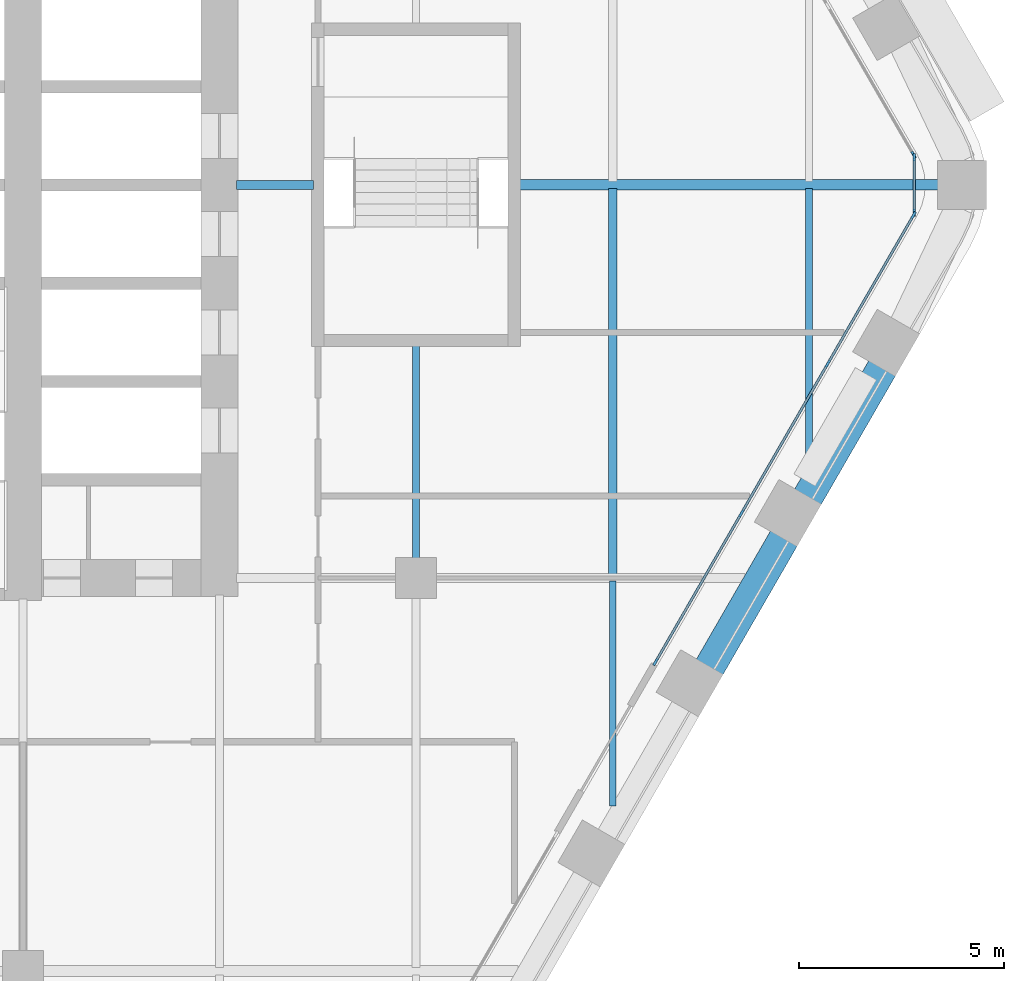
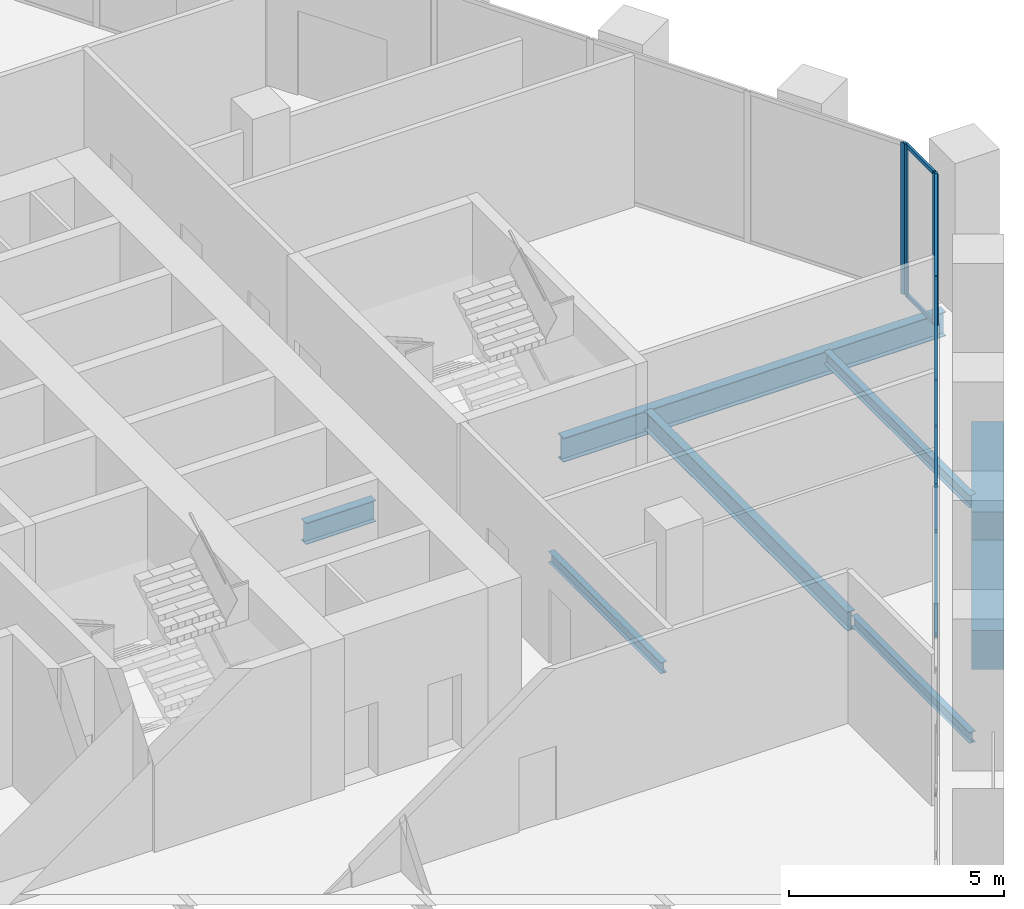
# One storey, part 5 of 23: 15 members, 8 beams, 3 elements without a shape of their own.
"""IFC4 building model written with IfcOpenShell, lengths in metres."""

from ifc_helpers import new_model, si_unit, direction, frame, origin, origin_2d, place, context, subcontext, project, spatial, rectangle, i_section, extrude, material, material_profile, profile_set, type_object, element, aggregate, save


model = new_model("IFC4")

# Units and contexts
model_context = context("Model", 3, precision=1e-05, world=origin(), true_north=direction((0.0, 1.0)))
body_context = subcontext(model_context, "Body", "Model", "MODEL_VIEW")
ifc_project = project(units=[si_unit("LENGTHUNIT", "METRE"), si_unit("AREAUNIT", "SQUARE_METRE"), si_unit("VOLUMEUNIT", "CUBIC_METRE"), si_unit("PLANEANGLEUNIT", "RADIAN"), si_unit("MASSUNIT", "GRAM", prefix="KILO")], contexts=[model_context])

# Site, building, storey
site_placement = place(None, origin())
site = spatial("IfcSite", under=ifc_project, at=site_placement, CompositionType="ELEMENT")
building_placement = place(site_placement, origin())
building = spatial("IfcBuilding", under=site, at=building_placement, Name="Kolab Exchange Tower", CompositionType="ELEMENT")
storey_placement = place(building_placement, frame((0.0, 0.0, 95.89990234375)))
storey = spatial("IfcBuildingStorey", under=building, at=storey_placement, Name="L18", CompositionType="ELEMENT", Elevation=95.89990234375)

# Beams
ifc_material_1 = material(Name="Steel S355", Category="steel")
ifc_material_profile_1 = material_profile(ifc_material_1, i_section(OverallWidth=0.1650390625, OverallDepth=0.31005859375, WebThickness=0.005859375, FlangeThickness=0.009765625, at=origin_2d()), Name="W310X39")
ifc_profile_set_1 = profile_set([ifc_material_profile_1], Name="Steel S355")
beam_type_1 = type_object("IfcBeamType", Name="FLOOR BEAM W310X39", PredefinedType="BEAM", material=ifc_profile_set_1)
beam_1_placement = place(storey_placement, frame((19.199951171875, -9.139892578125, -0.35498046875), z_axis=(0.0, 1.0, 0.0), x_axis=(-1.0, 0.0, 0.0)))
element("IfcBeam", 1, at=beam_1_placement, inside=storey, type_object=beam_type_1, Name="beam/L18/fr/042", PredefinedType="BEAM", context=body_context, shape_type="SweptSolid", body=[
    extrude(i_section(OverallWidth=0.1650390625, OverallDepth=0.31005859375, WebThickness=0.005859375, FlangeThickness=0.009765625, at=origin_2d()), origin(), (0.0, 0.0, 1.0), 5.22998046875),
])
beam_2_placement = place(storey_placement, frame((24.0, -15.167724609375, -0.35498046875), z_axis=(0.0, 1.0, 0.0), x_axis=(-1.0, 0.0, 0.0)))
element("IfcBeam", 2, at=beam_2_placement, inside=storey, type_object=beam_type_1, Name="beam/L18/fr/046", PredefinedType="BEAM", context=body_context, shape_type="SweptSolid", body=[
    extrude(i_section(OverallWidth=0.1650390625, OverallDepth=0.31005859375, WebThickness=0.005859375, FlangeThickness=0.009765625, at=origin_2d()), origin(), (0.0, 0.0, 1.0), 5.49365234375),
])
ifc_material_profile_2 = material_profile(ifc_material_1, i_section(OverallWidth=0.1708984375, OverallDepth=0.35498046875, WebThickness=0.007080078125, FlangeThickness=0.01171875, at=origin_2d()), Name="W360X51")
ifc_profile_set_2 = profile_set([ifc_material_profile_2], Name="Steel S355")
beam_type_2 = type_object("IfcBeamType", Name="FLOOR BEAM W360X51", PredefinedType="BEAM", material=ifc_profile_set_2)
beam_3_placement = place(storey_placement, frame((28.800048828125, -6.853759765625, -0.37744140625), z_axis=(0.0, 1.0, 0.0), x_axis=(-1.0, 0.0, 0.0)))
element("IfcBeam", 3, at=beam_3_placement, inside=storey, type_object=beam_type_2, Name="beam/L18/fr/050", PredefinedType="BEAM", context=body_context, shape_type="SweptSolid", body=[
    extrude(i_section(OverallWidth=0.1708984375, OverallDepth=0.35498046875, WebThickness=0.007080078125, FlangeThickness=0.01171875, at=origin_2d()), origin(), (0.0, 0.0, 1.0), 6.766845703125),
])
ifc_material_profile_3 = material_profile(ifc_material_1, i_section(OverallWidth=0.208984375, OverallDepth=0.532958984375, WebThickness=0.01025390625, FlangeThickness=0.015625, at=origin_2d()), Name="W530X92")
ifc_profile_set_3 = profile_set([ifc_material_profile_3], Name="Steel S355")
beam_type_3 = type_object("IfcBeamType", Name="FLOOR BEAM W530X92", PredefinedType="BEAM", material=ifc_profile_set_3)
beam_4_placement = place(storey_placement, frame((24.0, -9.52587890625, -0.46630859375), z_axis=(0.0, 1.0, 0.0), x_axis=(-1.0, 0.0, 0.0)))
element("IfcBeam", 4, at=beam_4_placement, inside=storey, type_object=beam_type_3, Name="beam/L18/fr/047", PredefinedType="BEAM", context=body_context, shape_type="SweptSolid", body=[
    extrude(i_section(OverallWidth=0.208984375, OverallDepth=0.532958984375, WebThickness=0.01025390625, FlangeThickness=0.015625, at=origin_2d()), origin(), (0.0, 0.0, 1.0), 9.43896484375),
])
ifc_material_profile_4 = material_profile(ifc_material_1, i_section(OverallWidth=0.22802734375, OverallDepth=0.60791015625, WebThickness=0.01123046875, FlangeThickness=0.017333984375, at=origin_2d()), Name="W610X113")
ifc_profile_set_4 = profile_set([ifc_material_profile_4], Name="Steel S355")
beam_type_4 = type_object("IfcBeamType", Name="FLOOR GIRDER W610X113", PredefinedType="BEAM", material=ifc_profile_set_4)
beam_5_placement = place(storey_placement, frame((14.81005859375, 0.0, -0.50390625), z_axis=(1.0, 0.0, 0.0), x_axis=(0.0, 1.0, 0.0)))
element("IfcBeam", 5, at=beam_5_placement, inside=storey, type_object=beam_type_4, Name="beam/L18/gd/015", PredefinedType="BEAM", context=body_context, shape_type="SweptSolid", body=[
    extrude(i_section(OverallWidth=0.22802734375, OverallDepth=0.60791015625, WebThickness=0.01123046875, FlangeThickness=0.017333984375, at=origin_2d()), origin(), (0.0, 0.0, 1.0), 1.8798828125),
])
ifc_material_profile_5 = material_profile(ifc_material_1, i_section(OverallWidth=0.25390625, OverallDepth=0.68408203125, WebThickness=0.012451171875, FlangeThickness=0.018798828125, at=origin_2d()), Name="W690X140")
ifc_profile_set_5 = profile_set([ifc_material_profile_5], Name="Steel S355")
beam_type_5 = type_object("IfcBeamType", Name="FLOOR GIRDER W690X140", PredefinedType="BEAM", material=ifc_profile_set_5)
beam_6_placement = place(storey_placement, frame((21.7099609375, 0.0, -0.5419921875), z_axis=(1.0, 0.0, 0.0), x_axis=(0.0, 1.0, 0.0)))
element("IfcBeam", 6, at=beam_6_placement, inside=storey, type_object=beam_type_5, Name="beam/L18/gd/019", PredefinedType="BEAM", context=body_context, shape_type="SweptSolid", body=[
    extrude(i_section(OverallWidth=0.25390625, OverallDepth=0.68408203125, WebThickness=0.012451171875, FlangeThickness=0.018798828125, at=origin_2d()), origin(), (0.0, 0.0, 1.0), 10.265869140625),
])
ifc_material_2 = material(Name="Concrete C70/85", Category="concrete")
ifc_material_profile_6 = material_profile(ifc_material_2, rectangle(XDim=0.75, YDim=1.10009765625, at=origin_2d()), Name="RC750X1100")
ifc_profile_set_6 = profile_set([ifc_material_profile_6], Name="Concrete C70/85")
beam_type_6 = type_object("IfcBeamType", Name="SPANDREL BEAM 750X1100 C70/85", PredefinedType="BEAM", material=ifc_profile_set_6)
for number, where, z_axis, x_axis, name in (
    (7, (30.59521484375, -4.454345703125, -0.75), (-0.500013413428, -0.866017659399, 0.0), (0.866017659399, -0.500013413428, 0.0), "beam/L18/sp/F3-02"),
    (8, (28.1953125, -8.611328125, -0.75), (-0.500013413428, -0.866017659399, 0.0), (0.866017659399, -0.500013413428, 0.0), "beam/L18/sp/F3-03"),
):
    element("IfcBeam", number, at=place(storey_placement, frame(where, z_axis=z_axis, x_axis=x_axis)), inside=storey, type_object=beam_type_6, Name=name, PredefinedType="BEAM", context=body_context, shape_type="SweptSolid", body=[
        extrude(rectangle(XDim=0.75, YDim=1.10009765625, at=origin_2d()), origin(), (0.0, 0.0, 1.0), 3.68017578125),
    ])

# Curtain wall, member
ifc_material_3 = material(Name="Aluminium EN AW-6063 T6", Category="aluminium")
curtain_wall_type = type_object("IfcCurtainWallType", Name="UNITISED LOWER MID ZONE CURTAIN WALL", PredefinedType="NOTDEFINED", material=ifc_material_3)
curtain_wall_1_placement = place(storey_placement, origin())
curtain_wall_1 = element("IfcCurtainWall", 9, at=curtain_wall_1_placement, inside=storey, type_object=curtain_wall_type, Name="cw/L18/F2-2", PredefinedType="NOTDEFINED")
ifc_material_profile_7 = material_profile(ifc_material_3, rectangle(XDim=0.06005859375, YDim=0.179931640625, at=origin_2d()), Name="RECT 60X180")
ifc_profile_set_7 = profile_set([ifc_material_profile_7], Name="Aluminium EN AW-6063 T6")
member_type_1 = type_object("IfcMemberType", Name="UNITISED LOWER MID ZONE MULLION 60 X 180", PredefinedType="MULLION", material=ifc_profile_set_7)
member_1_placement = place(storey_placement, frame((31.3505859375, 0.736083984375, 0.0), z_axis=(0.0, 0.0, 1.0), x_axis=(0.866025427826, 0.499999958358, 0.0)))
member_1 = element("IfcMember", 10, at=member_1_placement, type_object=member_type_1, Name="CW2 mullion 4", PredefinedType="MULLION", context=body_context, shape_type="SweptSolid", body=[
    extrude(rectangle(XDim=0.06005859375, YDim=0.179931640625, at=origin_2d()), origin(), (0.0, 0.0, 1.0), 4.300048828125),
])
aggregate(curtain_wall_1, [member_1])

# Curtain wall, members
curtain_wall_2_placement = place(storey_placement, origin())
curtain_wall_2 = element("IfcCurtainWall", 11, at=curtain_wall_2_placement, inside=storey, type_object=curtain_wall_type, Name="cw/L18/F3-1", PredefinedType="NOTDEFINED")
member_2_placement = place(storey_placement, frame((31.3505859375, -0.736083984375, 0.0), z_axis=(0.0, 0.0, 1.0), x_axis=(0.866025427826, -0.499999958358, 0.0)))
member_2 = element("IfcMember", 12, at=member_2_placement, type_object=member_type_1, Name="CW2 mullion 1", PredefinedType="MULLION", context=body_context, shape_type="SweptSolid", body=[
    extrude(rectangle(XDim=0.06005859375, YDim=0.179931640625, at=origin_2d()), origin(), (0.0, 0.0, 1.0), 4.300048828125),
])
member_3_placement = place(storey_placement, frame((29.25439453125, -4.366943359375, 0.0), z_axis=(0.0, 0.0, 1.0), x_axis=(0.866025427826, -0.499999958358, 0.0)))
member_3 = element("IfcMember", 13, at=member_3_placement, type_object=member_type_1, Name="CW2 mullion 2", PredefinedType="MULLION", context=body_context, shape_type="SweptSolid", body=[
    extrude(rectangle(XDim=0.06005859375, YDim=0.179931640625, at=origin_2d()), origin(), (0.0, 0.0, 1.0), 4.300048828125),
])
member_4_placement = place(storey_placement, frame((27.14306640625, -8.02392578125, 0.0), z_axis=(0.0, 0.0, 1.0), x_axis=(0.866025427826, -0.499999958358, 0.0)))
member_4 = element("IfcMember", 14, at=member_4_placement, type_object=member_type_1, Name="CW2 mullion 3", PredefinedType="MULLION", context=body_context, shape_type="SweptSolid", body=[
    extrude(rectangle(XDim=0.06005859375, YDim=0.179931640625, at=origin_2d()), origin(), (0.0, 0.0, 1.0), 4.300048828125),
])
member_5_placement = place(storey_placement, frame((25.046630859375, -11.65478515625, 0.0), z_axis=(0.0, 0.0, 1.0), x_axis=(0.866025427826, -0.499999958358, 0.0)))
member_5 = element("IfcMember", 15, at=member_5_placement, type_object=member_type_1, Name="CW2 mullion 4", PredefinedType="MULLION", context=body_context, shape_type="SweptSolid", body=[
    extrude(rectangle(XDim=0.06005859375, YDim=0.179931640625, at=origin_2d()), origin(), (0.0, 0.0, 1.0), 4.300048828125),
])

curtain_wall_3_placement = place(storey_placement, origin())
curtain_wall_3 = element("IfcCurtainWall", 16, at=curtain_wall_3_placement, inside=storey, type_object=curtain_wall_type, Name="cw/L18/F2F3-corner", PredefinedType="NOTDEFINED")
member_6_placement = place(storey_placement, frame((31.36572265625, 0.679931640625, 0.0), z_axis=(0.0, 0.0, 1.0), x_axis=(1.0, 0.0, 0.0)))
member_6 = element("IfcMember", 17, at=member_6_placement, type_object=member_type_1, Name="CW2 mullion 1", PredefinedType="MULLION", context=body_context, shape_type="SweptSolid", body=[
    extrude(rectangle(XDim=0.06005859375, YDim=0.179931640625, at=origin_2d()), origin(), (0.0, 0.0, 1.0), 4.300048828125),
])
member_7_placement = place(storey_placement, frame((31.36572265625, -0.679931640625, 0.0), z_axis=(0.0, 0.0, 1.0), x_axis=(1.0, 0.0, 0.0)))
member_7 = element("IfcMember", 18, at=member_7_placement, type_object=member_type_1, Name="CW2 mullion 2", PredefinedType="MULLION", context=body_context, shape_type="SweptSolid", body=[
    extrude(rectangle(XDim=0.06005859375, YDim=0.179931640625, at=origin_2d()), origin(), (0.0, 0.0, 1.0), 4.300048828125),
])

# Member
ifc_material_profile_8 = material_profile(ifc_material_3, rectangle(XDim=0.06005859375, YDim=0.1201171875, at=origin_2d()), Name="RECT 60X120")
ifc_profile_set_8 = profile_set([ifc_material_profile_8], Name="Aluminium EN AW-6063 T6")
member_type_2 = type_object("IfcMemberType", Name="UNITISED LOWER MID ZONE TRANSOM 60 X 120", PredefinedType="USERDEFINED", material=ifc_profile_set_8)
member_8_placement = place(storey_placement, frame((31.335693359375, -0.761962890625, 0.030029296875), z_axis=(-0.500027577057, -0.866009481578, 0.0), x_axis=(0.866009481578, -0.500027577057, 0.0)))
member_8 = element("IfcMember", 19, at=member_8_placement, type_object=member_type_2, Name="CW2 transom 1.1", ObjectType="TRANSOM", PredefinedType="USERDEFINED", context=body_context, shape_type="SweptSolid", body=[
    extrude(rectangle(XDim=0.06005859375, YDim=0.1201171875, at=origin_2d()), origin(), (0.0, 0.0, 1.0), 4.132568359375),
])

member_9_placement = place(storey_placement, frame((31.335693359375, -0.761962890625, 4.27001953125), z_axis=(-0.500027577057, -0.866009481578, 0.0), x_axis=(0.866009481578, -0.500027577057, 0.0)))
member_9 = element("IfcMember", 20, at=member_9_placement, type_object=member_type_2, Name="CW2 transom 1.2", ObjectType="TRANSOM", PredefinedType="USERDEFINED", context=body_context, shape_type="SweptSolid", body=[
    extrude(rectangle(XDim=0.06005859375, YDim=0.1201171875, at=origin_2d()), origin(), (0.0, 0.0, 1.0), 4.132568359375),
])

member_10_placement = place(storey_placement, frame((29.2392578125, -4.392822265625, 0.030029296875), z_axis=(-0.49999322259, -0.866029316688, 0.0), x_axis=(0.866029316688, -0.49999322259, 0.0)))
member_10 = element("IfcMember", 21, at=member_10_placement, type_object=member_type_2, Name="CW2 transom 2.1", ObjectType="TRANSOM", PredefinedType="USERDEFINED", context=body_context, shape_type="SweptSolid", body=[
    extrude(rectangle(XDim=0.06005859375, YDim=0.1201171875, at=origin_2d()), origin(), (0.0, 0.0, 1.0), 4.16259765625),
])

member_11_placement = place(storey_placement, frame((29.2392578125, -4.392822265625, 4.27001953125), z_axis=(-0.49999322259, -0.866029316688, 0.0), x_axis=(0.866029316688, -0.49999322259, 0.0)))
member_11 = element("IfcMember", 22, at=member_11_placement, type_object=member_type_2, Name="CW2 transom 2.2", ObjectType="TRANSOM", PredefinedType="USERDEFINED", context=body_context, shape_type="SweptSolid", body=[
    extrude(rectangle(XDim=0.06005859375, YDim=0.1201171875, at=origin_2d()), origin(), (0.0, 0.0, 1.0), 4.16259765625),
])

member_12_placement = place(storey_placement, frame((27.1279296875, -8.0498046875, 0.030029296875), z_axis=(-0.499957688808, -0.866049830784, 0.0), x_axis=(0.866049830784, -0.499957688808, 0.0)))
member_12 = element("IfcMember", 23, at=member_12_placement, type_object=member_type_2, Name="CW2 transom 3.1", ObjectType="TRANSOM", PredefinedType="USERDEFINED", context=body_context, shape_type="SweptSolid", body=[
    extrude(rectangle(XDim=0.06005859375, YDim=0.1201171875, at=origin_2d()), origin(), (0.0, 0.0, 1.0), 4.132568359375),
])

member_13_placement = place(storey_placement, frame((27.1279296875, -8.0498046875, 4.27001953125), z_axis=(-0.499957688808, -0.866049830784, 0.0), x_axis=(0.866049830784, -0.499957688808, 0.0)))
member_13 = element("IfcMember", 24, at=member_13_placement, type_object=member_type_2, Name="CW2 transom 3.2", ObjectType="TRANSOM", PredefinedType="USERDEFINED", context=body_context, shape_type="SweptSolid", body=[
    extrude(rectangle(XDim=0.06005859375, YDim=0.1201171875, at=origin_2d()), origin(), (0.0, 0.0, 1.0), 4.132568359375),
])

aggregate(curtain_wall_2, [member_2, member_3, member_4, member_5, member_8, member_9, member_10, member_11, member_12, member_13])

member_14_placement = place(storey_placement, frame((31.36572265625, 0.64990234375, 0.030029296875), z_axis=(0.0, -1.0, 0.0), x_axis=(1.0, 0.0, 0.0)))
member_14 = element("IfcMember", 25, at=member_14_placement, type_object=member_type_2, Name="CW2 transom 1.1", ObjectType="TRANSOM", PredefinedType="USERDEFINED", context=body_context, shape_type="SweptSolid", body=[
    extrude(rectangle(XDim=0.06005859375, YDim=0.1201171875, at=origin_2d()), origin(), (0.0, 0.0, 1.0), 1.2998046875),
])

member_15_placement = place(storey_placement, frame((31.36572265625, 0.64990234375, 4.27001953125), z_axis=(0.0, -1.0, 0.0), x_axis=(1.0, 0.0, 0.0)))
member_15 = element("IfcMember", 26, at=member_15_placement, type_object=member_type_2, Name="CW2 transom 1.2", ObjectType="TRANSOM", PredefinedType="USERDEFINED", context=body_context, shape_type="SweptSolid", body=[
    extrude(rectangle(XDim=0.06005859375, YDim=0.1201171875, at=origin_2d()), origin(), (0.0, 0.0, 1.0), 1.2998046875),
])

aggregate(curtain_wall_3, [member_6, member_7, member_14, member_15])

save(model, "model.ifc")
